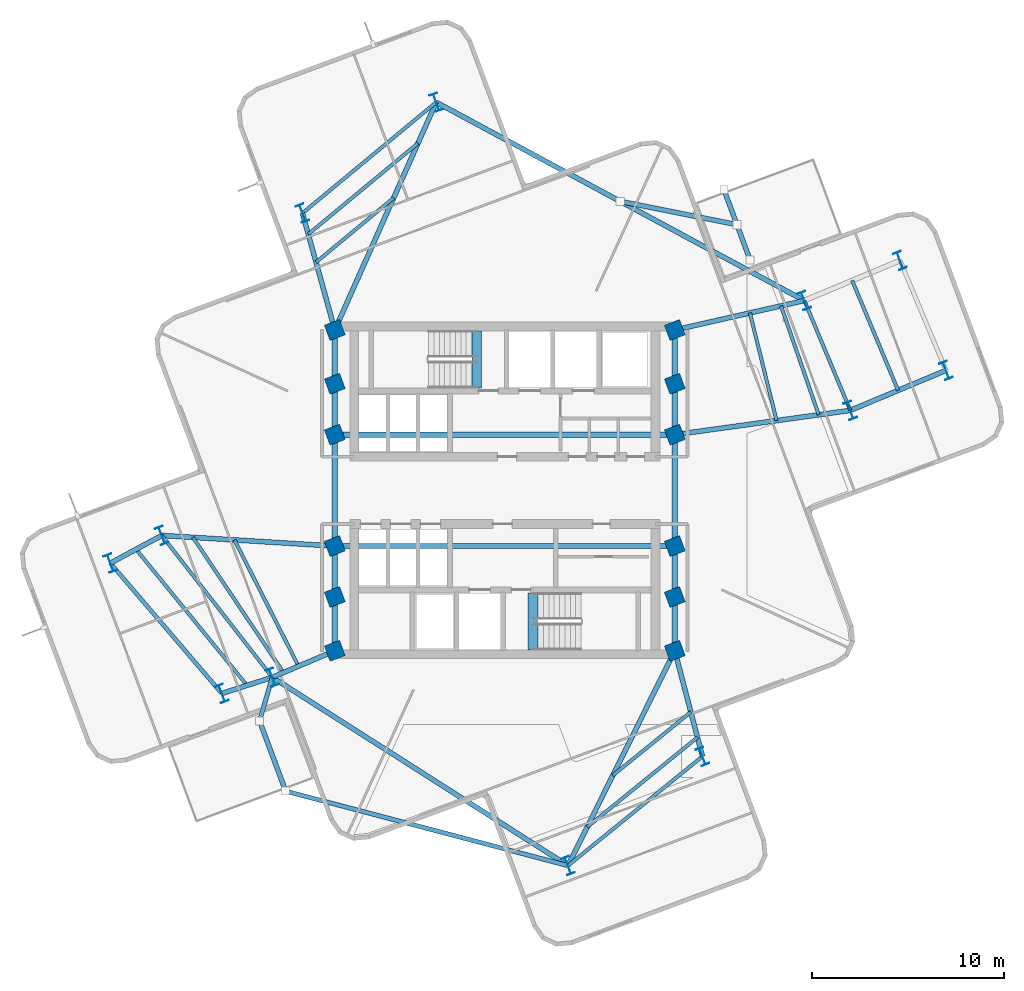
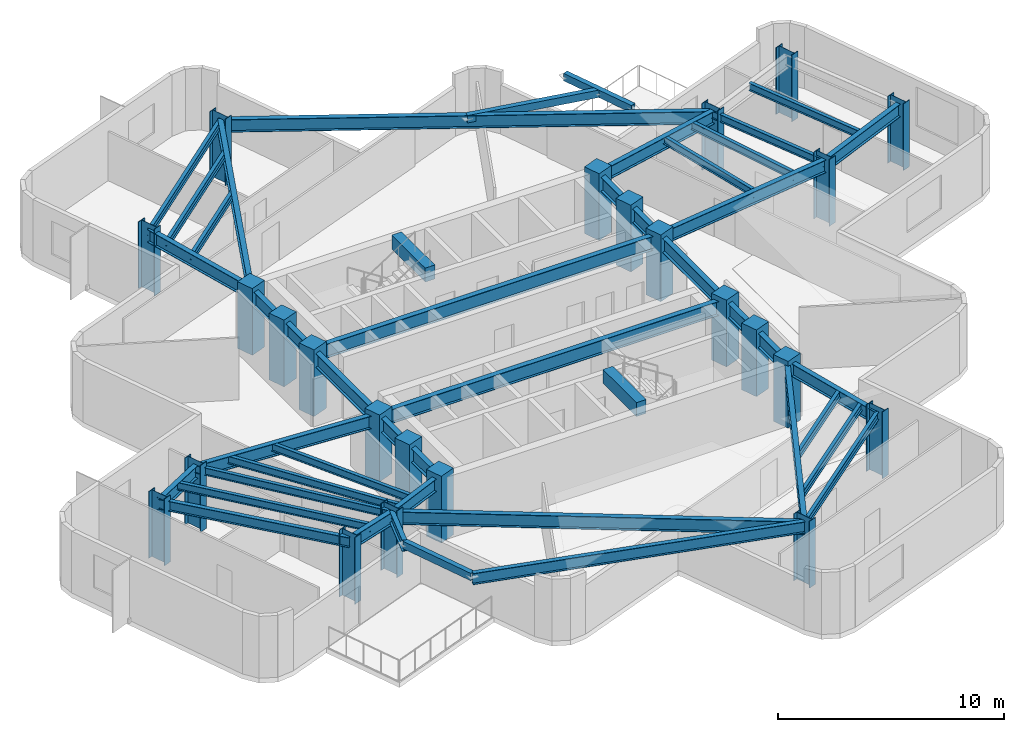
# One storey, part 1 of 8: 47 beams, 24 columns.
"""IFC4 building model written with IfcOpenShell, lengths in metres."""

from ifc_helpers import new_model, si_unit, direction, frame, origin, origin_2d, place, context, subcontext, project, spatial, rectangle, hollow_rectangle, i_section, extrude, material, material_profile, profile_set, type_object, element, save


model = new_model("IFC4")

# Units and contexts
model_context = context("Model", 3, precision=1e-05, world=origin(), true_north=direction((0.0, 1.0)))
body_context = subcontext(model_context, "Body", "Model", "MODEL_VIEW")
ifc_project = project(units=[si_unit("LENGTHUNIT", "METRE"), si_unit("AREAUNIT", "SQUARE_METRE"), si_unit("VOLUMEUNIT", "CUBIC_METRE"), si_unit("PLANEANGLEUNIT", "RADIAN"), si_unit("MASSUNIT", "GRAM", prefix="KILO")], contexts=[model_context])

# Site, building, storey
site_placement = place(None, origin())
site = spatial("IfcSite", under=ifc_project, at=site_placement, CompositionType="ELEMENT")
building_placement = place(site_placement, origin())
building = spatial("IfcBuilding", under=site, at=building_placement, Name="Solmarez Civic Tower", CompositionType="ELEMENT")
storey_placement = place(building_placement, frame((0.0, 0.0, 166.679931640625)))
storey = spatial("IfcBuildingStorey", under=building, at=storey_placement, Name="L44", CompositionType="ELEMENT", Elevation=166.679931640625)

# Columns
ifc_material_1 = material(Name="Concrete C50/60", Category="concrete")
ifc_material_profile_1 = material_profile(ifc_material_1, rectangle(XDim=0.85009765625, YDim=0.85009765625, at=origin_2d()), Name="RC850X850")
ifc_profile_set_1 = profile_set([ifc_material_profile_1], Name="Concrete C50/60")
column_type_1 = type_object("IfcColumnType", Name="COL-RC850", PredefinedType="COLUMN", material=ifc_profile_set_1)
for number, where, z_axis, x_axis, name in (
    (1, (-8.85009765625, -5.550048828125, 0.0), (0.0, 0.0, 1.0), (0.937281989492, 0.348572047322, 0.0), "L44 Structural Column HC1"),
    (2, (-8.85009765625, -2.89990234375, 0.0), (0.0, 0.0, 1.0), (0.937281989492, 0.348572047322, 0.0), "L44 Structural Column HC2"),
    (3, (-8.85009765625, 2.89990234375, 0.0), (0.0, 0.0, 1.0), (0.937281989492, 0.348572047322, 0.0), "L44 Structural Column HC3"),
    (4, (-8.85009765625, 5.550048828125, 0.0), (0.0, 0.0, 1.0), (0.937281989492, 0.348572047322, 0.0), "L44 Structural Column HC4"),
    (5, (8.85009765625, -5.550048828125, 0.0), (0.0, 0.0, 1.0), (0.937281989492, 0.348572047322, 0.0), "L44 Structural Column HC5"),
    (6, (8.85009765625, -2.89990234375, 0.0), (0.0, 0.0, 1.0), (0.937281989492, 0.348572047322, 0.0), "L44 Structural Column HC6"),
    (7, (8.85009765625, 2.89990234375, 0.0), (0.0, 0.0, 1.0), (0.937281989492, 0.348572047322, 0.0), "L44 Structural Column HC7"),
    (8, (8.85009765625, 5.550048828125, 0.0), (0.0, 0.0, 1.0), (0.937281989492, 0.348572047322, 0.0), "L44 Structural Column HC8"),
    (9, (-8.85009765625, 8.35009765625, 0.0), (0.0, 0.0, 1.0), (0.937281989492, 0.348572047322, 0.0), "L44 Structural Column HC9"),
    (10, (8.85009765625, -8.35009765625, 0.0), (0.0, 0.0, 1.0), (0.937281989492, 0.348572047322, 0.0), "L44 Structural Column HC10"),
    (11, (8.85009765625, 8.35009765625, 0.0), (0.0, 0.0, 1.0), (0.937281989492, 0.348572047322, 0.0), "L44 Structural Column HC11"),
    (12, (-8.85009765625, -8.35009765625, 0.0), (0.0, 0.0, 1.0), (0.937281989492, 0.348572047322, 0.0), "L44 Structural Column HC12"),
):
    element("IfcColumn", number, at=place(storey_placement, frame(where, z_axis=z_axis, x_axis=x_axis)), inside=storey, type_object=column_type_1, Name=name, PredefinedType="COLUMN", context=body_context, shape_type="SweptSolid", body=[
        extrude(rectangle(XDim=0.85009765625, YDim=0.85009765625, at=origin_2d()), origin(), (0.0, 0.0, 1.0), 3.60009765625),
    ])
ifc_material_2 = material(Name="Steel S355", Category="steel")
ifc_material_profile_2 = material_profile(ifc_material_2, i_section(OverallWidth=0.41796875, OverallDepth=0.927001953125, WebThickness=0.019287109375, FlangeThickness=0.031982421875, at=origin_2d()), Name="W36X231")
ifc_profile_set_2 = profile_set([ifc_material_profile_2], Name="Steel S355")
column_type_2 = type_object("IfcColumnType", Name="COL-W36X231", PredefinedType="COLUMN", material=ifc_profile_set_2)
for number, where, z_axis, x_axis, name in (
    (13, (17.987060546875, 4.1640625, 0.0), (0.0, 0.0, 1.0), (0.937281989492, 0.348572047322, 0.0), "L44 Structural Column EA11"),
    (14, (15.593994140625, 9.883056640625, 0.0), (0.0, 0.0, 1.0), (0.937281989492, 0.348572047322, 0.0), "L44 Structural Column EA12"),
    (15, (22.968017578125, 6.248046875, 0.0), (0.0, 0.0, 1.0), (0.937281989492, 0.348572047322, 0.0), "L44 Structural Column EA21"),
    (16, (20.575927734375, 11.967041015625, 0.0), (0.0, 0.0, 1.0), (0.937281989492, 0.348572047322, 0.0), "L44 Structural Column EA22"),
    (17, (-3.570068359375, 20.20703125, 0.0), (0.0, 0.0, 1.0), (0.937281989492, 0.348572047322, 0.0), "L44 Structural Column NA11"),
    (18, (-10.532958984375, 14.43310546875, 0.0), (0.0, 0.0, 1.0), (0.937281989492, 0.348572047322, 0.0), "L44 Structural Column NA12"),
    (19, (-17.85791015625, -2.345947265625, 0.0), (0.0, 0.0, 1.0), (0.937281989492, 0.348572047322, 0.0), "L44 Structural Column WA11"),
    (20, (-12.10595703125, -9.73095703125, 0.0), (0.0, 0.0, 1.0), (0.937281989492, 0.348572047322, 0.0), "L44 Structural Column WA12"),
    (21, (-20.534912109375, -3.7880859375, 0.0), (0.0, 0.0, 1.0), (0.937281989492, 0.348572047322, 0.0), "L44 Structural Column WA21"),
    (22, (-14.73095703125, -10.572998046875, 0.0), (0.0, 0.0, 1.0), (0.937281989492, 0.348572047322, 0.0), "L44 Structural Column WA22"),
    (23, (3.2900390625, -19.535888671875, 0.0), (0.0, 0.0, 1.0), (0.937281989492, 0.348572047322, 0.0), "L44 Structural Column SA11"),
    (24, (10.2900390625, -13.85009765625, 0.0), (0.0, 0.0, 1.0), (0.937281989492, 0.348572047322, 0.0), "L44 Structural Column SA12"),
):
    element("IfcColumn", number, at=place(storey_placement, frame(where, z_axis=z_axis, x_axis=x_axis)), inside=storey, type_object=column_type_2, Name=name, PredefinedType="COLUMN", context=body_context, shape_type="SweptSolid", body=[
        extrude(i_section(OverallWidth=0.41796875, OverallDepth=0.927001953125, WebThickness=0.019287109375, FlangeThickness=0.031982421875, at=origin_2d()), origin(), (0.0, 0.0, 1.0), 3.60009765625),
    ])

# Beams
ifc_material_profile_3 = material_profile(ifc_material_2, i_section(OverallWidth=0.178955078125, OverallDepth=0.409912109375, WebThickness=0.0087890625, FlangeThickness=0.014404296875, at=origin_2d()), Name="W16X45")
ifc_profile_set_3 = profile_set([ifc_material_profile_3], Name="Steel S355")
beam_type_1 = type_object("IfcBeamType", Name="BM-JS-W16X45", PredefinedType="JOIST", material=ifc_profile_set_3)
beam_1_placement = place(storey_placement, frame((17.987060546875, 4.1640625, 3.135009765625), z_axis=(-0.386010282684, 0.922494477849, 0.0), x_axis=(-0.922494477849, -0.386010282684, 0.0)))
element("IfcBeam", 25, at=beam_1_placement, inside=storey, type_object=beam_type_1, Name="L44 Secondary Floor Joist BM-L44-EA-T1", PredefinedType="JOIST", context=body_context, shape_type="SweptSolid", body=[
    extrude(i_section(OverallWidth=0.178955078125, OverallDepth=0.409912109375, WebThickness=0.0087890625, FlangeThickness=0.014404296875, at=origin_2d()), origin(), (0.0, 0.0, 1.0), 6.199462890625),
])
beam_2_placement = place(storey_placement, frame((20.47705078125, 5.2060546875, 3.135009765625), z_axis=(-0.385876218946, 0.922550564279, 0.0), x_axis=(-0.922550564279, -0.385876218946, 0.0)))
element("IfcBeam", 26, at=beam_2_placement, inside=storey, type_object=beam_type_1, Name="L44 Secondary Floor Joist JS-L44-EA-M2", PredefinedType="JOIST", context=body_context, shape_type="SweptSolid", body=[
    extrude(i_section(OverallWidth=0.178955078125, OverallDepth=0.409912109375, WebThickness=0.0087890625, FlangeThickness=0.014404296875, at=origin_2d()), origin(), (0.0, 0.0, 1.0), 6.19921875),
])
beam_3_placement = place(storey_placement, frame((14.14892578125, 3.633056640625, 3.135009765625), z_axis=(-0.240167471374, 0.970731469405, 0.0), x_axis=(-0.970731469405, -0.240167471374, 0.0)))
element("IfcBeam", 27, at=beam_3_placement, inside=storey, type_object=beam_type_1, Name="L44 Secondary Floor Joist JS-L44-EA-M11", PredefinedType="JOIST", context=body_context, shape_type="SweptSolid", body=[
    extrude(i_section(OverallWidth=0.178955078125, OverallDepth=0.409912109375, WebThickness=0.0087890625, FlangeThickness=0.014404296875, at=origin_2d()), origin(), (0.0, 0.0, 1.0), 5.77490234375),
])
beam_4_placement = place(storey_placement, frame((16.342041015625, 3.93603515625, 3.135009765625), z_axis=(-0.326984797789, 0.945029598486, 0.0), x_axis=(-0.945029598486, -0.326984797789, 0.0)))
element("IfcBeam", 28, at=beam_4_placement, inside=storey, type_object=beam_type_1, Name="L44 Secondary Floor Joist JS-L44-EA-M12", PredefinedType="JOIST", context=body_context, shape_type="SweptSolid", body=[
    extrude(i_section(OverallWidth=0.178955078125, OverallDepth=0.409912109375, WebThickness=0.0087890625, FlangeThickness=0.014404296875, at=origin_2d()), origin(), (0.0, 0.0, 1.0), 6.000732421875),
])
beam_5_placement = place(storey_placement, frame((-3.570068359375, 20.20703125, 3.135009765625), z_axis=(-0.769767664309, -0.638324167633, 0.0), x_axis=(0.638324167633, -0.769767664309, 0.0)))
element("IfcBeam", 29, at=beam_5_placement, inside=storey, type_object=beam_type_1, Name="L44 Secondary Floor Joist BM-L44-NA-T1", PredefinedType="JOIST", context=body_context, shape_type="SweptSolid", body=[
    extrude(i_section(OverallWidth=0.178955078125, OverallDepth=0.409912109375, WebThickness=0.0087890625, FlangeThickness=0.014404296875, at=origin_2d()), origin(), (0.0, 0.0, 1.0), 9.04541015625),
])
beam_6_placement = place(storey_placement, frame((-5.7880859375, 15.22705078125, 3.135009765625), z_axis=(-0.76969549019, -0.63841119381, 0.0), x_axis=(0.63841119381, -0.76969549019, 0.0)))
element("IfcBeam", 30, at=beam_6_placement, inside=storey, type_object=beam_type_1, Name="L44 Secondary Floor Joist JS-L44-NA-M11", PredefinedType="JOIST", context=body_context, shape_type="SweptSolid", body=[
    extrude(i_section(OverallWidth=0.178955078125, OverallDepth=0.409912109375, WebThickness=0.0087890625, FlangeThickness=0.014404296875, at=origin_2d()), origin(), (0.0, 0.0, 1.0), 5.24609375),
])
beam_7_placement = place(storey_placement, frame((-4.52001953125, 18.072998046875, 3.135009765625), z_axis=(-0.769756777075, -0.638337296535, 0.0), x_axis=(0.638337296535, -0.769756777075, 0.0)))
element("IfcBeam", 31, at=beam_7_placement, inside=storey, type_object=beam_type_1, Name="L44 Secondary Floor Joist JS-L44-NA-M12", PredefinedType="JOIST", context=body_context, shape_type="SweptSolid", body=[
    extrude(i_section(OverallWidth=0.178955078125, OverallDepth=0.409912109375, WebThickness=0.0087890625, FlangeThickness=0.014404296875, at=origin_2d()), origin(), (0.0, 0.0, 1.0), 7.41796875),
])
beam_8_placement = place(storey_placement, frame((-17.85791015625, -2.345947265625, 3.135009765625), z_axis=(0.614476744631, -0.788934934141, 0.0), x_axis=(0.788934934141, 0.614476744631, 0.0)))
element("IfcBeam", 32, at=beam_8_placement, inside=storey, type_object=beam_type_1, Name="L44 Secondary Floor Joist BM-L44-WA-T1", PredefinedType="JOIST", context=body_context, shape_type="SweptSolid", body=[
    extrude(i_section(OverallWidth=0.178955078125, OverallDepth=0.409912109375, WebThickness=0.0087890625, FlangeThickness=0.014404296875, at=origin_2d()), origin(), (0.0, 0.0, 1.0), 9.36083984375),
])
beam_9_placement = place(storey_placement, frame((-19.197021484375, -3.06689453125, 3.135009765625), z_axis=(0.632062174253, -0.77491767813, 0.0), x_axis=(0.77491767813, 0.632062174253, 0.0)))
element("IfcBeam", 33, at=beam_9_placement, inside=storey, type_object=beam_type_1, Name="L44 Secondary Floor Joist JS-L44-WA-M2", PredefinedType="JOIST", context=body_context, shape_type="SweptSolid", body=[
    extrude(i_section(OverallWidth=0.178955078125, OverallDepth=0.409912109375, WebThickness=0.0087890625, FlangeThickness=0.014404296875, at=origin_2d()), origin(), (0.0, 0.0, 1.0), 9.14306640625),
])
beam_10_placement = place(storey_placement, frame((-14.074951171875, -2.5791015625, 3.135009765625), z_axis=(0.452743410654, -0.891640849282, 0.0), x_axis=(0.891640849282, 0.452743410654, 0.0)))
element("IfcBeam", 34, at=beam_10_placement, inside=storey, type_object=beam_type_1, Name="L44 Secondary Floor Joist JS-L44-WA-M11", PredefinedType="JOIST", context=body_context, shape_type="SweptSolid", body=[
    extrude(i_section(OverallWidth=0.178955078125, OverallDepth=0.409912109375, WebThickness=0.0087890625, FlangeThickness=0.014404296875, at=origin_2d()), origin(), (0.0, 0.0, 1.0), 7.370361328125),
])
beam_11_placement = place(storey_placement, frame((-16.237060546875, -2.446044921875, 3.135009765625), z_axis=(0.556859935783, -0.830606412159, 0.0), x_axis=(0.830606412159, 0.556859935783, 0.0)))
element("IfcBeam", 35, at=beam_11_placement, inside=storey, type_object=beam_type_1, Name="L44 Secondary Floor Joist JS-L44-WA-M12", PredefinedType="JOIST", context=body_context, shape_type="SweptSolid", body=[
    extrude(i_section(OverallWidth=0.178955078125, OverallDepth=0.409912109375, WebThickness=0.0087890625, FlangeThickness=0.014404296875, at=origin_2d()), origin(), (0.0, 0.0, 1.0), 8.470703125),
])
beam_12_placement = place(storey_placement, frame((3.2900390625, -19.535888671875, 3.135009765625), z_axis=(0.776206737012, 0.630478470225, 0.0), x_axis=(-0.630478470225, 0.776206737012, 0.0)))
element("IfcBeam", 36, at=beam_12_placement, inside=storey, type_object=beam_type_1, Name="L44 Secondary Floor Joist BM-L44-SA-T1", PredefinedType="JOIST", context=body_context, shape_type="SweptSolid", body=[
    extrude(i_section(OverallWidth=0.178955078125, OverallDepth=0.409912109375, WebThickness=0.0087890625, FlangeThickness=0.014404296875, at=origin_2d()), origin(), (0.0, 0.0, 1.0), 9.018310546875),
])
beam_13_placement = place(storey_placement, frame((5.625, -14.837890625, 3.135009765625), z_axis=(0.776202509922, 0.630483674325, 0.0), x_axis=(-0.630483674325, 0.776202509922, 0.0)))
element("IfcBeam", 37, at=beam_13_placement, inside=storey, type_object=beam_type_1, Name="L44 Secondary Floor Joist JS-L44-SA-M11", PredefinedType="JOIST", context=body_context, shape_type="SweptSolid", body=[
    extrude(i_section(OverallWidth=0.178955078125, OverallDepth=0.409912109375, WebThickness=0.0087890625, FlangeThickness=0.014404296875, at=origin_2d()), origin(), (0.0, 0.0, 1.0), 5.230712890625),
])
beam_14_placement = place(storey_placement, frame((4.291015625, -17.52294921875, 3.135009765625), z_axis=(0.776173575786, 0.630519294115, 0.0), x_axis=(-0.630519294115, 0.776173575786, 0.0)))
element("IfcBeam", 38, at=beam_14_placement, inside=storey, type_object=beam_type_1, Name="L44 Secondary Floor Joist JS-L44-SA-M12", PredefinedType="JOIST", context=body_context, shape_type="SweptSolid", body=[
    extrude(i_section(OverallWidth=0.178955078125, OverallDepth=0.409912109375, WebThickness=0.0087890625, FlangeThickness=0.014404296875, at=origin_2d()), origin(), (0.0, 0.0, 1.0), 7.395263671875),
])
ifc_material_profile_4 = material_profile(ifc_material_1, rectangle(XDim=0.5, YDim=0.75, at=origin_2d()), Name="RC500X750")
ifc_profile_set_4 = profile_set([ifc_material_profile_4], Name="Concrete C50/60")
beam_type_2 = type_object("IfcBeamType", Name="BM-PR-RC500X750", PredefinedType="BEAM", material=ifc_profile_set_4)
for number, where, z_axis, x_axis, name in (
    (39, (-1.449951171875, 5.340087890625, 3.233154296875), (0.0, 1.0, 0.0), (-1.0, 0.0, 0.0), "L44 North Stair Threshold Beam"),
    (40, (1.449951171875, -8.300048828125, 3.233154296875), (0.0, 1.0, 0.0), (-1.0, 0.0, 0.0), "L44 South Stair Threshold Beam"),
):
    element("IfcBeam", number, at=place(storey_placement, frame(where, z_axis=z_axis, x_axis=x_axis)), inside=storey, type_object=beam_type_2, Name=name, PredefinedType="BEAM", context=body_context, shape_type="SweptSolid", body=[
        extrude(rectangle(XDim=0.5, YDim=0.75, at=origin_2d()), origin(), (0.0, 0.0, 1.0), 2.9599609375),
    ])
ifc_material_profile_5 = material_profile(ifc_material_2, i_section(OverallWidth=0.25390625, OverallDepth=0.68798828125, WebThickness=0.01318359375, FlangeThickness=0.02099609375, at=origin_2d()), Name="W27X102")
ifc_profile_set_5 = profile_set([ifc_material_profile_5], Name="Steel S355")
beam_type_3 = type_object("IfcBeamType", Name="BM-PR-W27X102", PredefinedType="BEAM", material=ifc_profile_set_5)
beam_15_placement = place(storey_placement, frame((8.85009765625, 2.89990234375, 2.99609375), z_axis=(0.990563968355, 0.137051175101, 0.0), x_axis=(-0.137051175101, 0.990563968355, 0.0)))
element("IfcBeam", 41, at=beam_15_placement, inside=storey, type_object=beam_type_3, Name="L44 Primary Floor Beam BM-L44-EA-R1A", PredefinedType="BEAM", context=body_context, shape_type="SweptSolid", body=[
    extrude(i_section(OverallWidth=0.25390625, OverallDepth=0.68798828125, WebThickness=0.01318359375, FlangeThickness=0.02099609375, at=origin_2d()), origin(), (0.0, 0.0, 1.0), 9.22412109375),
])
beam_16_placement = place(storey_placement, frame((8.85009765625, 8.35009765625, 2.99609375), z_axis=(0.975124879448, 0.221656196577, 0.0), x_axis=(-0.221656196577, 0.975124879448, 0.0)))
element("IfcBeam", 42, at=beam_16_placement, inside=storey, type_object=beam_type_3, Name="L44 Primary Floor Beam BM-L44-EA-R1B", PredefinedType="BEAM", context=body_context, shape_type="SweptSolid", body=[
    extrude(i_section(OverallWidth=0.25390625, OverallDepth=0.68798828125, WebThickness=0.01318359375, FlangeThickness=0.02099609375, at=origin_2d()), origin(), (0.0, 0.0, 1.0), 6.916015625),
])
beam_17_placement = place(storey_placement, frame((17.987060546875, 4.1640625, 2.99609375), z_axis=(0.922511388683, 0.385969866376, 0.0), x_axis=(-0.385969866376, 0.922511388683, 0.0)))
element("IfcBeam", 43, at=beam_17_placement, inside=storey, type_object=beam_type_3, Name="L44 Primary Floor Beam BM-L44-EA-R2A", PredefinedType="BEAM", context=body_context, shape_type="SweptSolid", body=[
    extrude(i_section(OverallWidth=0.25390625, OverallDepth=0.68798828125, WebThickness=0.01318359375, FlangeThickness=0.02099609375, at=origin_2d()), origin(), (0.0, 0.0, 1.0), 5.3994140625),
])
beam_18_placement = place(storey_placement, frame((-8.85009765625, 8.35009765625, 2.99609375), z_axis=(0.406799805731, 0.9135173332, 0.0), x_axis=(-0.9135173332, 0.406799805731, 0.0)))
element("IfcBeam", 44, at=beam_18_placement, inside=storey, type_object=beam_type_3, Name="L44 Primary Floor Beam BM-L44-NA-R1A", PredefinedType="BEAM", context=body_context, shape_type="SweptSolid", body=[
    extrude(i_section(OverallWidth=0.25390625, OverallDepth=0.68798828125, WebThickness=0.01318359375, FlangeThickness=0.02099609375, at=origin_2d()), origin(), (0.0, 0.0, 1.0), 12.9794921875),
])
beam_19_placement = place(storey_placement, frame((-8.85009765625, 8.35009765625, 2.99609375), z_axis=(-0.266634219494, 0.963797796737, 0.0), x_axis=(-0.963797796737, -0.266634219494, 0.0)))
element("IfcBeam", 45, at=beam_19_placement, inside=storey, type_object=beam_type_3, Name="L44 Primary Floor Beam BM-L44-NA-R1B", PredefinedType="BEAM", context=body_context, shape_type="SweptSolid", body=[
    extrude(i_section(OverallWidth=0.25390625, OverallDepth=0.68798828125, WebThickness=0.01318359375, FlangeThickness=0.02099609375, at=origin_2d()), origin(), (0.0, 0.0, 1.0), 6.3115234375),
])
beam_20_placement = place(storey_placement, frame((-8.85009765625, -2.89990234375, 2.99609375), z_axis=(-0.998114395047, 0.061381221877, 0.0), x_axis=(-0.061381221877, -0.998114395047, 0.0)))
element("IfcBeam", 46, at=beam_20_placement, inside=storey, type_object=beam_type_3, Name="L44 Primary Floor Beam BM-L44-WA-R1A", PredefinedType="BEAM", context=body_context, shape_type="SweptSolid", body=[
    extrude(i_section(OverallWidth=0.25390625, OverallDepth=0.68798828125, WebThickness=0.01318359375, FlangeThickness=0.02099609375, at=origin_2d()), origin(), (0.0, 0.0, 1.0), 9.02490234375),
])
beam_21_placement = place(storey_placement, frame((-8.85009765625, -8.35009765625, 2.99609375), z_axis=(-0.920623894701, -0.390450566019, 0.0), x_axis=(0.390450566019, -0.920623894701, 0.0)))
element("IfcBeam", 47, at=beam_21_placement, inside=storey, type_object=beam_type_3, Name="L44 Primary Floor Beam BM-L44-WA-R1B", PredefinedType="BEAM", context=body_context, shape_type="SweptSolid", body=[
    extrude(i_section(OverallWidth=0.25390625, OverallDepth=0.68798828125, WebThickness=0.01318359375, FlangeThickness=0.02099609375, at=origin_2d()), origin(), (0.0, 0.0, 1.0), 3.53662109375),
])
beam_22_placement = place(storey_placement, frame((-17.85791015625, -2.345947265625, 2.99609375), z_axis=(-0.880378270924, -0.474272179329, 0.0), x_axis=(0.474272179329, -0.880378270924, 0.0)))
element("IfcBeam", 48, at=beam_22_placement, inside=storey, type_object=beam_type_3, Name="L44 Primary Floor Beam BM-L44-WA-R2A", PredefinedType="BEAM", context=body_context, shape_type="SweptSolid", body=[
    extrude(i_section(OverallWidth=0.25390625, OverallDepth=0.68798828125, WebThickness=0.01318359375, FlangeThickness=0.02099609375, at=origin_2d()), origin(), (0.0, 0.0, 1.0), 3.040771484375),
])
beam_23_placement = place(storey_placement, frame((-12.10595703125, -9.73095703125, 2.99609375), z_axis=(-0.952208998703, -0.305447250421, 0.0), x_axis=(0.305447250421, -0.952208998703, 0.0)))
element("IfcBeam", 49, at=beam_23_placement, inside=storey, type_object=beam_type_3, Name="L44 Primary Floor Beam BM-L44-WA-R2B", PredefinedType="BEAM", context=body_context, shape_type="SweptSolid", body=[
    extrude(i_section(OverallWidth=0.25390625, OverallDepth=0.68798828125, WebThickness=0.01318359375, FlangeThickness=0.02099609375, at=origin_2d()), origin(), (0.0, 0.0, 1.0), 2.7568359375),
])
beam_24_placement = place(storey_placement, frame((8.85009765625, -8.35009765625, 2.99609375), z_axis=(-0.44510935737, -0.895476219663, 0.0), x_axis=(0.895476219663, -0.44510935737, 0.0)))
element("IfcBeam", 50, at=beam_24_placement, inside=storey, type_object=beam_type_3, Name="L44 Primary Floor Beam BM-L44-SA-R1A", PredefinedType="BEAM", context=body_context, shape_type="SweptSolid", body=[
    extrude(i_section(OverallWidth=0.25390625, OverallDepth=0.68798828125, WebThickness=0.01318359375, FlangeThickness=0.02099609375, at=origin_2d()), origin(), (0.0, 0.0, 1.0), 12.491455078125),
])
beam_25_placement = place(storey_placement, frame((8.85009765625, -8.35009765625, 2.99609375), z_axis=(0.253271365575, -0.967395273598, 0.0), x_axis=(0.967395273598, 0.253271365575, 0.0)))
element("IfcBeam", 51, at=beam_25_placement, inside=storey, type_object=beam_type_3, Name="L44 Primary Floor Beam BM-L44-SA-R1B", PredefinedType="BEAM", context=body_context, shape_type="SweptSolid", body=[
    extrude(i_section(OverallWidth=0.25390625, OverallDepth=0.68798828125, WebThickness=0.01318359375, FlangeThickness=0.02099609375, at=origin_2d()), origin(), (0.0, 0.0, 1.0), 5.685302734375),
])
beam_26_placement = place(storey_placement, frame((15.593994140625, 9.883056640625, 2.99609375), z_axis=(-0.880377808395, 0.474273037908, 0.0), x_axis=(-0.474273037908, -0.880377808395, 0.0)))
element("IfcBeam", 52, at=beam_26_placement, inside=storey, type_object=beam_type_3, Name="L44 Primary Floor Beam BM-L44-BALC-NEC", PredefinedType="BEAM", context=body_context, shape_type="SweptSolid", body=[
    extrude(i_section(OverallWidth=0.25390625, OverallDepth=0.68798828125, WebThickness=0.01318359375, FlangeThickness=0.02099609375, at=origin_2d()), origin(), (0.0, 0.0, 1.0), 21.76806640625),
])
beam_27_placement = place(storey_placement, frame((-12.10595703125, -9.73095703125, 2.99609375), z_axis=(0.843475834773, -0.537167121251, 0.0), x_axis=(0.537167121251, 0.843475834773, 0.0)))
element("IfcBeam", 53, at=beam_27_placement, inside=storey, type_object=beam_type_3, Name="L44 Primary Floor Beam BM-L44-BALC-SWC", PredefinedType="BEAM", context=body_context, shape_type="SweptSolid", body=[
    extrude(i_section(OverallWidth=0.25390625, OverallDepth=0.68798828125, WebThickness=0.01318359375, FlangeThickness=0.02099609375, at=origin_2d()), origin(), (0.0, 0.0, 1.0), 18.2529296875),
])
ifc_material_profile_6 = material_profile(ifc_material_2, i_section(OverallWidth=0.26708984375, OverallDepth=0.761962890625, WebThickness=0.014404296875, FlangeThickness=0.021484375, at=origin_2d()), Name="W30X116")
ifc_profile_set_6 = profile_set([ifc_material_profile_6], Name="Steel S355")
beam_type_4 = type_object("IfcBeamType", Name="BM-PR-W30X116", PredefinedType="BEAM", material=ifc_profile_set_6)
beam_28_placement = place(storey_placement, frame((-8.85009765625, -8.35009765625, 2.958984375), z_axis=(0.0, 1.0, 0.0), x_axis=(-1.0, 0.0, 0.0)))
element("IfcBeam", 54, at=beam_28_placement, inside=storey, type_object=beam_type_4, Name="L44 Primary Floor Beam BM-L44-HC12-HC1", PredefinedType="BEAM", context=body_context, shape_type="SweptSolid", body=[
    extrude(i_section(OverallWidth=0.26708984375, OverallDepth=0.761962890625, WebThickness=0.014404296875, FlangeThickness=0.021484375, at=origin_2d()), origin(), (0.0, 0.0, 1.0), 2.800048828125),
])
beam_29_placement = place(storey_placement, frame((-8.85009765625, -5.550048828125, 2.958984375), z_axis=(0.0, 1.0, 0.0), x_axis=(-1.0, 0.0, 0.0)))
element("IfcBeam", 55, at=beam_29_placement, inside=storey, type_object=beam_type_4, Name="L44 Primary Floor Beam BM-L44-HC1-HC2", PredefinedType="BEAM", context=body_context, shape_type="SweptSolid", body=[
    extrude(i_section(OverallWidth=0.26708984375, OverallDepth=0.761962890625, WebThickness=0.014404296875, FlangeThickness=0.021484375, at=origin_2d()), origin(), (0.0, 0.0, 1.0), 2.650146484375),
])
beam_30_placement = place(storey_placement, frame((-8.85009765625, -2.89990234375, 2.958984375), z_axis=(0.0, 1.0, 0.0), x_axis=(-1.0, 0.0, 0.0)))
element("IfcBeam", 56, at=beam_30_placement, inside=storey, type_object=beam_type_4, Name="L44 Primary Floor Beam BM-L44-HC2-HC3", PredefinedType="BEAM", context=body_context, shape_type="SweptSolid", body=[
    extrude(i_section(OverallWidth=0.26708984375, OverallDepth=0.761962890625, WebThickness=0.014404296875, FlangeThickness=0.021484375, at=origin_2d()), origin(), (0.0, 0.0, 1.0), 5.7998046875),
])
beam_31_placement = place(storey_placement, frame((-8.85009765625, 2.89990234375, 2.958984375), z_axis=(0.0, 1.0, 0.0), x_axis=(-1.0, 0.0, 0.0)))
element("IfcBeam", 57, at=beam_31_placement, inside=storey, type_object=beam_type_4, Name="L44 Primary Floor Beam BM-L44-HC3-HC4", PredefinedType="BEAM", context=body_context, shape_type="SweptSolid", body=[
    extrude(i_section(OverallWidth=0.26708984375, OverallDepth=0.761962890625, WebThickness=0.014404296875, FlangeThickness=0.021484375, at=origin_2d()), origin(), (0.0, 0.0, 1.0), 2.650146484375),
])
for number, where, z_axis, x_axis, name in (
    (58, (-8.85009765625, 5.550048828125, 2.958984375), (0.0, 1.0, 0.0), (-1.0, 0.0, 0.0), "L44 Primary Floor Beam BM-L44-HC4-HC9"),
    (59, (8.85009765625, -8.35009765625, 2.958984375), (0.0, 1.0, 0.0), (-1.0, 0.0, 0.0), "L44 Primary Floor Beam BM-L44-HC10-HC5"),
):
    element("IfcBeam", number, at=place(storey_placement, frame(where, z_axis=z_axis, x_axis=x_axis)), inside=storey, type_object=beam_type_4, Name=name, PredefinedType="BEAM", context=body_context, shape_type="SweptSolid", body=[
        extrude(i_section(OverallWidth=0.26708984375, OverallDepth=0.761962890625, WebThickness=0.014404296875, FlangeThickness=0.021484375, at=origin_2d()), origin(), (0.0, 0.0, 1.0), 2.800048828125),
    ])
beam_32_placement = place(storey_placement, frame((8.85009765625, -5.550048828125, 2.958984375), z_axis=(0.0, 1.0, 0.0), x_axis=(-1.0, 0.0, 0.0)))
element("IfcBeam", 60, at=beam_32_placement, inside=storey, type_object=beam_type_4, Name="L44 Primary Floor Beam BM-L44-HC5-HC6", PredefinedType="BEAM", context=body_context, shape_type="SweptSolid", body=[
    extrude(i_section(OverallWidth=0.26708984375, OverallDepth=0.761962890625, WebThickness=0.014404296875, FlangeThickness=0.021484375, at=origin_2d()), origin(), (0.0, 0.0, 1.0), 2.650146484375),
])
beam_33_placement = place(storey_placement, frame((8.85009765625, -2.89990234375, 2.958984375), z_axis=(0.0, 1.0, 0.0), x_axis=(-1.0, 0.0, 0.0)))
element("IfcBeam", 61, at=beam_33_placement, inside=storey, type_object=beam_type_4, Name="L44 Primary Floor Beam BM-L44-HC6-HC7", PredefinedType="BEAM", context=body_context, shape_type="SweptSolid", body=[
    extrude(i_section(OverallWidth=0.26708984375, OverallDepth=0.761962890625, WebThickness=0.014404296875, FlangeThickness=0.021484375, at=origin_2d()), origin(), (0.0, 0.0, 1.0), 5.7998046875),
])
beam_34_placement = place(storey_placement, frame((8.85009765625, 2.89990234375, 2.958984375), z_axis=(0.0, 1.0, 0.0), x_axis=(-1.0, 0.0, 0.0)))
element("IfcBeam", 62, at=beam_34_placement, inside=storey, type_object=beam_type_4, Name="L44 Primary Floor Beam BM-L44-HC7-HC8", PredefinedType="BEAM", context=body_context, shape_type="SweptSolid", body=[
    extrude(i_section(OverallWidth=0.26708984375, OverallDepth=0.761962890625, WebThickness=0.014404296875, FlangeThickness=0.021484375, at=origin_2d()), origin(), (0.0, 0.0, 1.0), 2.650146484375),
])
beam_35_placement = place(storey_placement, frame((8.85009765625, 5.550048828125, 2.958984375), z_axis=(0.0, 1.0, 0.0), x_axis=(-1.0, 0.0, 0.0)))
element("IfcBeam", 63, at=beam_35_placement, inside=storey, type_object=beam_type_4, Name="L44 Primary Floor Beam BM-L44-HC8-HC11", PredefinedType="BEAM", context=body_context, shape_type="SweptSolid", body=[
    extrude(i_section(OverallWidth=0.26708984375, OverallDepth=0.761962890625, WebThickness=0.014404296875, FlangeThickness=0.021484375, at=origin_2d()), origin(), (0.0, 0.0, 1.0), 2.800048828125),
])
for number, where, z_axis, x_axis, name in (
    (64, (-8.85009765625, -2.89990234375, 2.958984375), (1.0, 0.0, 0.0), (0.0, 1.0, 0.0), "L44 Primary Floor Beam BM-L44-HC2-HC6"),
    (65, (-8.85009765625, 2.89990234375, 2.958984375), (1.0, 0.0, 0.0), (0.0, 1.0, 0.0), "L44 Primary Floor Beam BM-L44-HC3-HC7"),
):
    element("IfcBeam", number, at=place(storey_placement, frame(where, z_axis=z_axis, x_axis=x_axis)), inside=storey, type_object=beam_type_4, Name=name, PredefinedType="BEAM", context=body_context, shape_type="SweptSolid", body=[
        extrude(i_section(OverallWidth=0.26708984375, OverallDepth=0.761962890625, WebThickness=0.014404296875, FlangeThickness=0.021484375, at=origin_2d()), origin(), (0.0, 0.0, 1.0), 17.7001953125),
    ])
ifc_material_profile_7 = material_profile(ifc_material_2, hollow_rectangle(XDim=0.25, YDim=0.39990234375, WallThickness=0.01611328125, at=origin_2d()), Name="HSS400X250X16")
ifc_profile_set_7 = profile_set([ifc_material_profile_7], Name="Steel S355")
beam_type_5 = type_object("IfcBeamType", Name="BM-SP-HSS400X250", PredefinedType="SPANDREL", material=ifc_profile_set_7)
beam_36_placement = place(storey_placement, frame((12.76708984375, 12.0029296875, 3.14013671875), z_axis=(-0.348755451606, 0.937213761623, 0.0), x_axis=(-0.937213761623, -0.348755451606, 0.0)))
element("IfcBeam", 66, at=beam_36_placement, inside=storey, type_object=beam_type_5, Name="L44 Perimeter Spandrel Beam BM-L44-BALC-NEE", PredefinedType="SPANDREL", context=body_context, shape_type="SweptSolid", body=[
    extrude(hollow_rectangle(XDim=0.25, YDim=0.39990234375, WallThickness=0.01611328125, at=origin_2d()), origin(), (0.0, 0.0, 1.0), 3.89990234375),
])
beam_37_placement = place(storey_placement, frame((6.011962890625, 15.044921875, 3.14013671875), z_axis=(0.980615522055, -0.195941822757, 0.0), x_axis=(0.195941822757, 0.980615522055, 0.0)))
element("IfcBeam", 67, at=beam_37_placement, inside=storey, type_object=beam_type_5, Name="L44 Perimeter Spandrel Beam BM-L44-BALC-NEM", PredefinedType="SPANDREL", context=body_context, shape_type="SweptSolid", body=[
    extrude(hollow_rectangle(XDim=0.25, YDim=0.39990234375, WallThickness=0.01611328125, at=origin_2d()), origin(), (0.0, 0.0, 1.0), 6.195068359375),
])
beam_38_placement = place(storey_placement, frame((-12.76708984375, -12.0029296875, 3.14013671875), z_axis=(0.348755451606, -0.937213761623, 0.0), x_axis=(0.937213761623, 0.348755451606, 0.0)))
element("IfcBeam", 68, at=beam_38_placement, inside=storey, type_object=beam_type_5, Name="L44 Perimeter Spandrel Beam BM-L44-BALC-SWE", PredefinedType="SPANDREL", context=body_context, shape_type="SweptSolid", body=[
    extrude(hollow_rectangle(XDim=0.25, YDim=0.39990234375, WallThickness=0.01611328125, at=origin_2d()), origin(), (0.0, 0.0, 1.0), 3.89990234375),
])
ifc_material_profile_8 = material_profile(ifc_material_2, i_section(OverallWidth=0.2109375, OverallDepth=0.5390625, WebThickness=0.01171875, FlangeThickness=0.018798828125, at=origin_2d()), Name="W21X73")
ifc_profile_set_8 = profile_set([ifc_material_profile_8], Name="Steel S355")
beam_type_6 = type_object("IfcBeamType", Name="BM-SP-W21X73", PredefinedType="SPANDREL", material=ifc_profile_set_8)
beam_39_placement = place(storey_placement, frame((-20.534912109375, -3.7880859375, 3.071044921875), z_axis=(0.650036693718, -0.759902820642, 0.0), x_axis=(0.759902820642, 0.650036693718, 0.0)))
element("IfcBeam", 69, at=beam_39_placement, inside=storey, type_object=beam_type_6, Name="L44 Perimeter Spandrel Beam BM-L44-WA-T2", PredefinedType="SPANDREL", context=body_context, shape_type="SweptSolid", body=[
    extrude(i_section(OverallWidth=0.2109375, OverallDepth=0.5390625, WebThickness=0.01171875, FlangeThickness=0.018798828125, at=origin_2d()), origin(), (0.0, 0.0, 1.0), 8.9287109375),
])
ifc_material_profile_9 = material_profile(ifc_material_2, i_section(OverallWidth=0.22900390625, OverallDepth=0.612060546875, WebThickness=0.011962890625, FlangeThickness=0.01953125, at=origin_2d()), Name="W24X84")
ifc_profile_set_9 = profile_set([ifc_material_profile_9], Name="Steel S355")
beam_type_7 = type_object("IfcBeamType", Name="BM-SP-W24X84", PredefinedType="SPANDREL", material=ifc_profile_set_9)
beam_40_placement = place(storey_placement, frame((-12.10595703125, -9.73095703125, 3.0341796875), z_axis=(-0.279405641879, -0.960173154846, 0.0), x_axis=(0.960173154846, -0.279405641879, 0.0)))
element("IfcBeam", 70, at=beam_40_placement, inside=storey, type_object=beam_type_7, Name="L44 Perimeter Spandrel Beam BM-L44-BALC-SW1", PredefinedType="SPANDREL", context=body_context, shape_type="SweptSolid", body=[
    extrude(i_section(OverallWidth=0.22900390625, OverallDepth=0.612060546875, WebThickness=0.011962890625, FlangeThickness=0.01953125, at=origin_2d()), origin(), (0.0, 0.0, 1.0), 2.3662109375),
])
beam_41_placement = place(storey_placement, frame((3.2900390625, -19.535888671875, 3.0341796875), z_axis=(-0.966907677755, 0.255126522923, 0.0), x_axis=(-0.255126522923, -0.966907677755, 0.0)))
element("IfcBeam", 71, at=beam_41_placement, inside=storey, type_object=beam_type_7, Name="L44 Perimeter Spandrel Beam BM-L44-BALC-SW2", PredefinedType="SPANDREL", context=body_context, shape_type="SweptSolid", body=[
    extrude(i_section(OverallWidth=0.22900390625, OverallDepth=0.612060546875, WebThickness=0.011962890625, FlangeThickness=0.01953125, at=origin_2d()), origin(), (0.0, 0.0, 1.0), 15.199951171875),
])

save(model, "model.ifc")
